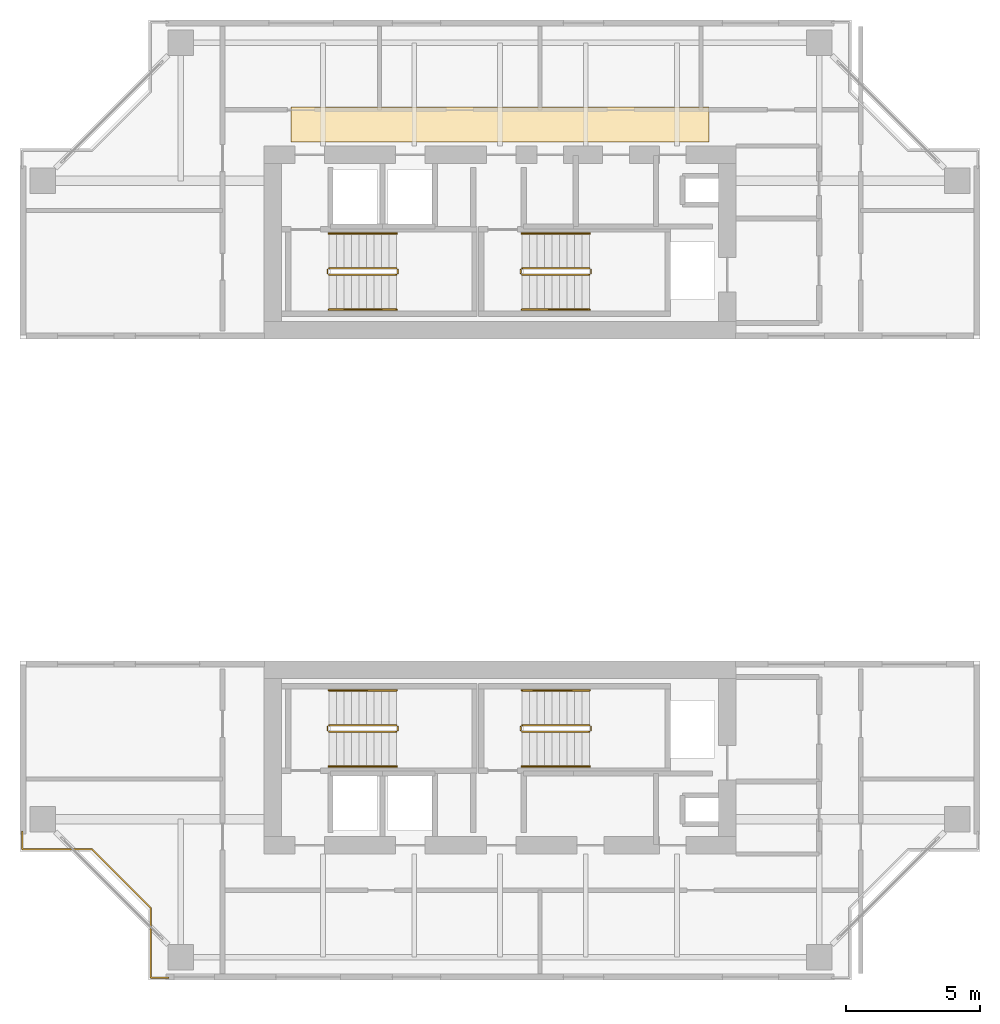
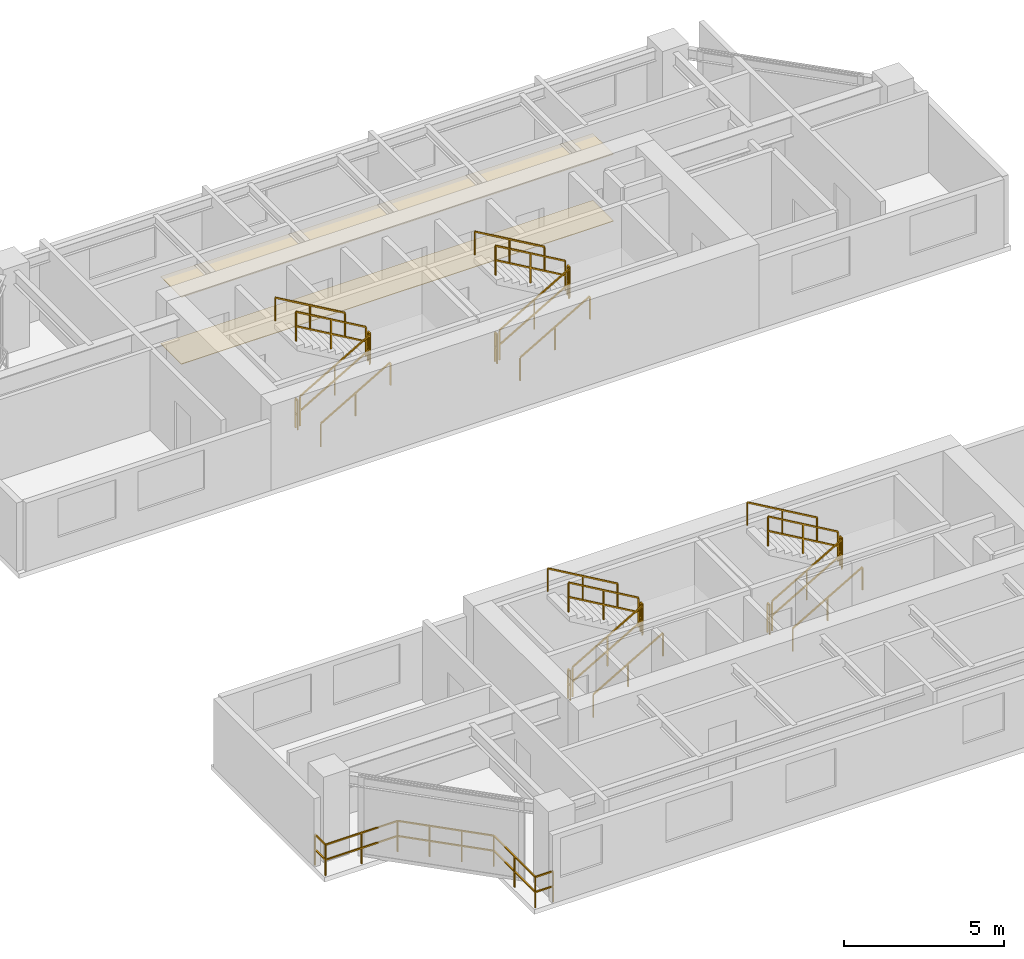
# One storey, part 11 of 12: 25 railings, 2 coverings.
"""IFC4 building model written with IfcOpenShell, lengths in metres."""

from ifc_helpers import new_model, si_unit, direction, frame, origin, origin_2d, place, context, subcontext, project, spatial, polyline, rectangle, outline, extrude, material, layer, layer_set, type_object, element, save


model = new_model("IFC4")

# Units and contexts
model_context = context("Model", 3, precision=1e-05, world=origin(), true_north=direction((0.0, 1.0)))
body_context = subcontext(model_context, "Body", "Model", "MODEL_VIEW")
ifc_project = project(units=[si_unit("LENGTHUNIT", "METRE"), si_unit("AREAUNIT", "SQUARE_METRE"), si_unit("VOLUMEUNIT", "CUBIC_METRE"), si_unit("PLANEANGLEUNIT", "RADIAN"), si_unit("MASSUNIT", "GRAM", prefix="KILO"), si_unit("THERMODYNAMICTEMPERATUREUNIT", "KELVIN"), si_unit("POWERUNIT", "WATT")], contexts=[model_context])

# Site, building, storey
site_placement = place(None, origin())
site = spatial("IfcSite", under=ifc_project, at=site_placement, CompositionType="ELEMENT")
building_placement = place(site_placement, origin())
building = spatial("IfcBuilding", under=site, at=building_placement, Name="Qiaomeng Ring Towers", CompositionType="ELEMENT")
storey_placement = place(building_placement, frame((0.0, 0.0, 166.5)))
storey = spatial("IfcBuildingStorey", under=building, at=storey_placement, Name="L48", CompositionType="ELEMENT", Elevation=166.5)

# Coverings
ifc_material_1 = material(Name="Mineral fibre acoustic ceiling tile", Category="gypsum")
ifc_layer_1 = layer(ifc_material_1, 0.02490234375, Name="Mineral fibre acoustic ceiling tile")
ifc_layer_set_1 = layer_set([ifc_layer_1], Name="Mineral fibre acoustic ceiling tile")
covering_type_1 = type_object("IfcCoveringType", Name="ARC-COV-CEIL1", PredefinedType="CEILING", material=ifc_layer_set_1)
covering_1_placement = place(storey_placement, frame((0.0, 0.0, 2.550048828125)))
element("IfcCovering", 1, at=covering_1_placement, inside=storey, type_object=covering_type_1, Name="L48 Corridor Acoustic Ceiling", PredefinedType="CEILING", context=body_context, shape_type="SweptSolid", body=[
    extrude(outline(polyline([(11.199951171875, 36.35009765625), (11.199951171875, 37.64990234375), (26.800048828125, 37.64990234375), (26.800048828125, 36.35009765625), (11.199951171875, 36.35009765625)])), origin(), (0.0, 0.0, 1.0), 0.02490234375),
])
ifc_material_2 = material(Name="Vitrified porcelain floor tile", Category="ceramic")
ifc_layer_2 = layer(ifc_material_2, 0.02001953125, Name="Vitrified porcelain floor tile")
ifc_layer_set_2 = layer_set([ifc_layer_2], Name="Vitrified porcelain floor tile")
covering_type_2 = type_object("IfcCoveringType", Name="ARC-COV-FLR1", PredefinedType="FLOORING", material=ifc_layer_set_2)
covering_2_placement = place(storey_placement, origin())
element("IfcCovering", 2, at=covering_2_placement, inside=storey, type_object=covering_type_2, Name="L48 Corridor Stone Flooring", PredefinedType="FLOORING", context=body_context, shape_type="SweptSolid", body=[
    extrude(outline(polyline([(11.199951171875, 36.35009765625), (11.199951171875, 37.64990234375), (26.800048828125, 37.64990234375), (26.800048828125, 36.35009765625), (11.199951171875, 36.35009765625)])), origin(), (0.0, 0.0, 1.0), 0.02001953125),
])

# Railings
ifc_material_3 = material(Name="Low-E pale-green laminated safety glass", Category="glass")
railing_type_1 = type_object("IfcRailingType", Name="ARC-RL-BAL1", PredefinedType="BALUSTRADE", material=ifc_material_3)
railing_1_placement = place(storey_placement, frame((1.179931640625, 10.6298828125, 0.0)))
element("IfcRailing", 3, at=railing_1_placement, inside=storey, type_object=railing_type_1, Name="L48 Balustrade ARC-BAL-NOTCH1-L48-SW", PredefinedType="BALUSTRADE", context=body_context, shape_type="SweptSolid", body=[
    extrude(rectangle(XDim=0.048095703125, YDim=0.048095703125, at=origin_2d()), frame((0.0, 0.0, 1.17578125), z_axis=(0.0, -1.0, 0.0), x_axis=(1.0, 0.0, 0.0)), (0.0, 0.0, 1.0), 0.64990234375),
    extrude(rectangle(XDim=0.048095703125, YDim=0.048095703125, at=origin_2d()), frame((0.0, 0.0, 0.60009765625), z_axis=(0.0, -1.0, 0.0), x_axis=(1.0, 0.0, 0.0)), (0.0, 0.0, 1.0), 0.64990234375),
    extrude(rectangle(XDim=0.048095703125, YDim=0.048095703125, at=origin_2d()), frame((0.0, -0.64990234375, 1.17578125), z_axis=(1.0, 0.0, 0.0), x_axis=(0.0, 1.0, 0.0)), (0.0, 0.0, 1.0), 2.60009765625),
    extrude(rectangle(XDim=0.048095703125, YDim=0.048095703125, at=origin_2d()), frame((0.0, -0.64990234375, 0.60009765625), z_axis=(1.0, 0.0, 0.0), x_axis=(0.0, 1.0, 0.0)), (0.0, 0.0, 1.0), 2.60009765625),
    extrude(rectangle(XDim=0.048095703125, YDim=0.048095703125, at=origin_2d()), frame((2.60009765625, -0.64990234375, 1.17578125), z_axis=(0.707106781187, -0.707106781187, 0.0), x_axis=(0.707106781187, 0.707106781187, 0.0)), (0.0, 0.0, 1.0), 3.111083984375),
    extrude(rectangle(XDim=0.048095703125, YDim=0.048095703125, at=origin_2d()), frame((2.60009765625, -0.64990234375, 0.60009765625), z_axis=(0.707106781187, -0.707106781187, 0.0), x_axis=(0.707106781187, 0.707106781187, 0.0)), (0.0, 0.0, 1.0), 3.111083984375),
    extrude(rectangle(XDim=0.048095703125, YDim=0.048095703125, at=origin_2d()), frame((4.800048828125, -2.849853515625, 1.17578125), z_axis=(0.0, -1.0, 0.0), x_axis=(1.0, 0.0, 0.0)), (0.0, 0.0, 1.0), 2.60009765625),
    extrude(rectangle(XDim=0.048095703125, YDim=0.048095703125, at=origin_2d()), frame((4.800048828125, -2.849853515625, 0.60009765625), z_axis=(0.0, -1.0, 0.0), x_axis=(1.0, 0.0, 0.0)), (0.0, 0.0, 1.0), 2.60009765625),
    extrude(rectangle(XDim=0.048095703125, YDim=0.048095703125, at=origin_2d()), frame((4.800048828125, -5.449951171875, 1.17578125), z_axis=(1.0, 0.0, 0.0), x_axis=(0.0, 1.0, 0.0)), (0.0, 0.0, 1.0), 0.64990234375),
    extrude(rectangle(XDim=0.048095703125, YDim=0.048095703125, at=origin_2d()), frame((4.800048828125, -5.449951171875, 0.60009765625), z_axis=(1.0, 0.0, 0.0), x_axis=(0.0, 1.0, 0.0)), (0.0, 0.0, 1.0), 0.64990234375),
    extrude(rectangle(XDim=0.0419921875, YDim=0.0419921875, at=origin_2d()), origin(), (0.0, 0.0, 1.0), 1.15185546875),
    extrude(rectangle(XDim=0.0419921875, YDim=0.0419921875, at=origin_2d()), frame((0.0, -0.64990234375, 0.0)), (0.0, 0.0, 1.0), 1.15185546875),
    extrude(rectangle(XDim=0.0419921875, YDim=0.0419921875, at=origin_2d()), frame((1.300048828125, -0.64990234375, 0.0)), (0.0, 0.0, 1.0), 1.15185546875),
    extrude(rectangle(XDim=0.0419921875, YDim=0.0419921875, at=origin_2d()), frame((2.60009765625, -0.64990234375, 0.0)), (0.0, 0.0, 1.0), 1.15185546875),
    extrude(rectangle(XDim=0.0419921875, YDim=0.0419921875, at=origin_2d()), frame((3.33349609375, -1.38330078125, 0.0)), (0.0, 0.0, 1.0), 1.15185546875),
    extrude(rectangle(XDim=0.0419921875, YDim=0.0419921875, at=origin_2d()), frame((4.066650390625, -2.116455078125, 0.0)), (0.0, 0.0, 1.0), 1.15185546875),
    extrude(rectangle(XDim=0.0419921875, YDim=0.0419921875, at=origin_2d()), frame((4.800048828125, -2.849853515625, 0.0)), (0.0, 0.0, 1.0), 1.15185546875),
    extrude(rectangle(XDim=0.0419921875, YDim=0.0419921875, at=origin_2d()), frame((4.800048828125, -4.14990234375, 0.0)), (0.0, 0.0, 1.0), 1.15185546875),
    extrude(rectangle(XDim=0.0419921875, YDim=0.0419921875, at=origin_2d()), frame((4.800048828125, -5.449951171875, 0.0)), (0.0, 0.0, 1.0), 1.15185546875),
    extrude(rectangle(XDim=0.0419921875, YDim=0.0419921875, at=origin_2d()), frame((5.449951171875, -5.449951171875, 0.0)), (0.0, 0.0, 1.0), 1.15185546875),
])
ifc_material_4 = material(Name="Galvanised steel", Category="steel")
railing_type_2 = type_object("IfcRailingType", Name="ARC-RL-GUARD", PredefinedType="GUARDRAIL", material=ifc_material_4)
railing_2_placement = place(storey_placement, frame((12.6201171875, 31.39990234375, 0.16259765625)))
element("IfcRailing", 4, at=railing_2_placement, inside=storey, type_object=railing_type_2, Name="L48 ST1 stair guard 1", PredefinedType="GUARDRAIL", context=body_context, shape_type="SweptSolid", body=[
    extrude(rectangle(XDim=0.048095703125, YDim=0.048095703125, at=origin_2d()), frame((0.0, 0.0, 1.1259765625), z_axis=(0.864892226395, 0.0, 0.501957604506), x_axis=(0.0, 1.0, 0.0)), (0.0, 0.0, 1.0), 2.913330078125),
    extrude(rectangle(XDim=0.048095703125, YDim=0.048095703125, at=origin_2d()), frame((0.0, 0.0, 0.574951171875), z_axis=(0.864892226395, 0.0, 0.501957604506), x_axis=(0.0, 1.0, 0.0)), (0.0, 0.0, 1.0), 2.913330078125),
    extrude(rectangle(XDim=0.0419921875, YDim=0.0419921875, at=origin_2d()), origin(), (0.0, 0.0, 1.0), 1.101806640625),
    extrude(rectangle(XDim=0.0419921875, YDim=0.0419921875, at=origin_2d()), frame((1.259765625, 0.0, 0.731201171875)), (0.0, 0.0, 1.0), 1.101806640625),
    extrude(rectangle(XDim=0.0419921875, YDim=0.0419921875, at=origin_2d()), frame((2.519775390625, 0.0, 1.46240234375)), (0.0, 0.0, 1.0), 1.101806640625),
])
railing_3_placement = place(storey_placement, frame((15.18994140625, 31.449951171875, 1.625)))
element("IfcRailing", 5, at=railing_3_placement, inside=storey, type_object=railing_type_2, Name="L48 ST1 stair guard 2", PredefinedType="GUARDRAIL", context=body_context, shape_type="SweptSolid", body=[
    extrude(rectangle(XDim=0.048095703125, YDim=0.048095703125, at=origin_2d()), frame((0.0, 0.0, 1.1259765625), z_axis=(0.0, 1.0, 0.0), x_axis=(-1.0, 0.0, 0.0)), (0.0, 0.0, 1.0), 0.14013671875),
    extrude(rectangle(XDim=0.048095703125, YDim=0.048095703125, at=origin_2d()), frame((0.0, 0.0, 0.574951171875), z_axis=(0.0, 1.0, 0.0), x_axis=(-1.0, 0.0, 0.0)), (0.0, 0.0, 1.0), 0.14013671875),
    extrude(rectangle(XDim=0.0419921875, YDim=0.0419921875, at=origin_2d()), origin(), (0.0, 0.0, 1.0), 1.101806640625),
    extrude(rectangle(XDim=0.0419921875, YDim=0.0419921875, at=origin_2d()), frame((0.0, 0.14013671875, 0.0)), (0.0, 0.0, 1.0), 1.101806640625),
])
railing_4_placement = place(storey_placement, frame((15.139892578125, 31.639892578125, 1.78759765625)))
element("IfcRailing", 6, at=railing_4_placement, inside=storey, type_object=railing_type_2, Name="L48 ST1 stair guard 3", PredefinedType="GUARDRAIL", context=body_context, shape_type="SweptSolid", body=[
    extrude(rectangle(XDim=0.048095703125, YDim=0.048095703125, at=origin_2d()), frame((0.0, 0.0, 1.1259765625), z_axis=(-0.864892226395, 0.0, 0.501957604506), x_axis=(0.0, -1.0, 0.0)), (0.0, 0.0, 1.0), 2.913330078125),
    extrude(rectangle(XDim=0.048095703125, YDim=0.048095703125, at=origin_2d()), frame((0.0, 0.0, 0.574951171875), z_axis=(-0.864892226395, 0.0, 0.501957604506), x_axis=(0.0, -1.0, 0.0)), (0.0, 0.0, 1.0), 2.913330078125),
    extrude(rectangle(XDim=0.0419921875, YDim=0.0419921875, at=origin_2d()), origin(), (0.0, 0.0, 1.0), 1.101806640625),
    extrude(rectangle(XDim=0.0419921875, YDim=0.0419921875, at=origin_2d()), frame((-1.259765625, 0.0, 0.731201171875)), (0.0, 0.0, 1.0), 1.101806640625),
    extrude(rectangle(XDim=0.0419921875, YDim=0.0419921875, at=origin_2d()), frame((-2.519775390625, 0.0, 1.46240234375)), (0.0, 0.0, 1.0), 1.101806640625),
])
railing_5_placement = place(storey_placement, frame((12.570068359375, 31.449951171875, 0.0)))
element("IfcRailing", 7, at=railing_5_placement, inside=storey, type_object=railing_type_2, Name="L48 ST1 stair guard 4", PredefinedType="GUARDRAIL", context=body_context, shape_type="SweptSolid", body=[
    extrude(rectangle(XDim=0.048095703125, YDim=0.048095703125, at=origin_2d()), frame((0.0, 0.0, 1.1259765625), z_axis=(0.0, 1.0, 0.0), x_axis=(-1.0, 0.0, 0.0)), (0.0, 0.0, 1.0), 0.14013671875),
    extrude(rectangle(XDim=0.048095703125, YDim=0.048095703125, at=origin_2d()), frame((0.0, 0.0, 0.574951171875), z_axis=(0.0, 1.0, 0.0), x_axis=(-1.0, 0.0, 0.0)), (0.0, 0.0, 1.0), 0.14013671875),
    extrude(rectangle(XDim=0.0419921875, YDim=0.0419921875, at=origin_2d()), origin(), (0.0, 0.0, 1.0), 1.101806640625),
    extrude(rectangle(XDim=0.0419921875, YDim=0.0419921875, at=origin_2d()), frame((0.0, 0.14013671875, 0.0)), (0.0, 0.0, 1.0), 1.101806640625),
])
railing_6_placement = place(storey_placement, frame((19.820068359375, 31.39990234375, 0.16259765625)))
element("IfcRailing", 8, at=railing_6_placement, inside=storey, type_object=railing_type_2, Name="L48 ST2 stair guard 1", PredefinedType="GUARDRAIL", context=body_context, shape_type="SweptSolid", body=[
    extrude(rectangle(XDim=0.048095703125, YDim=0.048095703125, at=origin_2d()), frame((0.0, 0.0, 1.1259765625), z_axis=(0.864913338283, 0.0, 0.50192122615), x_axis=(0.0, 1.0, 0.0)), (0.0, 0.0, 1.0), 2.91357421875),
    extrude(rectangle(XDim=0.048095703125, YDim=0.048095703125, at=origin_2d()), frame((0.0, 0.0, 0.574951171875), z_axis=(0.864913338283, 0.0, 0.50192122615), x_axis=(0.0, 1.0, 0.0)), (0.0, 0.0, 1.0), 2.91357421875),
    extrude(rectangle(XDim=0.0419921875, YDim=0.0419921875, at=origin_2d()), origin(), (0.0, 0.0, 1.0), 1.101806640625),
    extrude(rectangle(XDim=0.0419921875, YDim=0.0419921875, at=origin_2d()), frame((1.260009765625, 0.0, 0.731201171875)), (0.0, 0.0, 1.0), 1.101806640625),
    extrude(rectangle(XDim=0.0419921875, YDim=0.0419921875, at=origin_2d()), frame((2.52001953125, 0.0, 1.46240234375)), (0.0, 0.0, 1.0), 1.101806640625),
])
railing_7_placement = place(storey_placement, frame((22.389892578125, 31.449951171875, 1.625)))
element("IfcRailing", 9, at=railing_7_placement, inside=storey, type_object=railing_type_2, Name="L48 ST2 stair guard 2", PredefinedType="GUARDRAIL", context=body_context, shape_type="SweptSolid", body=[
    extrude(rectangle(XDim=0.048095703125, YDim=0.048095703125, at=origin_2d()), frame((0.0, 0.0, 1.1259765625), z_axis=(0.0, 1.0, 0.0), x_axis=(-1.0, 0.0, 0.0)), (0.0, 0.0, 1.0), 0.14013671875),
    extrude(rectangle(XDim=0.048095703125, YDim=0.048095703125, at=origin_2d()), frame((0.0, 0.0, 0.574951171875), z_axis=(0.0, 1.0, 0.0), x_axis=(-1.0, 0.0, 0.0)), (0.0, 0.0, 1.0), 0.14013671875),
    extrude(rectangle(XDim=0.0419921875, YDim=0.0419921875, at=origin_2d()), origin(), (0.0, 0.0, 1.0), 1.101806640625),
    extrude(rectangle(XDim=0.0419921875, YDim=0.0419921875, at=origin_2d()), frame((0.0, 0.14013671875, 0.0)), (0.0, 0.0, 1.0), 1.101806640625),
])
railing_8_placement = place(storey_placement, frame((22.340087890625, 31.639892578125, 1.78759765625)))
element("IfcRailing", 10, at=railing_8_placement, inside=storey, type_object=railing_type_2, Name="L48 ST2 stair guard 3", PredefinedType="GUARDRAIL", context=body_context, shape_type="SweptSolid", body=[
    extrude(rectangle(XDim=0.048095703125, YDim=0.048095703125, at=origin_2d()), frame((0.0, 0.0, 1.1259765625), z_axis=(-0.864913338283, 0.0, 0.50192122615), x_axis=(0.0, -1.0, 0.0)), (0.0, 0.0, 1.0), 2.91357421875),
    extrude(rectangle(XDim=0.048095703125, YDim=0.048095703125, at=origin_2d()), frame((0.0, 0.0, 0.574951171875), z_axis=(-0.864913338283, 0.0, 0.50192122615), x_axis=(0.0, -1.0, 0.0)), (0.0, 0.0, 1.0), 2.91357421875),
    extrude(rectangle(XDim=0.0419921875, YDim=0.0419921875, at=origin_2d()), origin(), (0.0, 0.0, 1.0), 1.101806640625),
    extrude(rectangle(XDim=0.0419921875, YDim=0.0419921875, at=origin_2d()), frame((-1.260009765625, 0.0, 0.731201171875)), (0.0, 0.0, 1.0), 1.101806640625),
    extrude(rectangle(XDim=0.0419921875, YDim=0.0419921875, at=origin_2d()), frame((-2.52001953125, 0.0, 1.46240234375)), (0.0, 0.0, 1.0), 1.101806640625),
])
railing_9_placement = place(storey_placement, frame((19.77001953125, 31.449951171875, 0.0)))
element("IfcRailing", 11, at=railing_9_placement, inside=storey, type_object=railing_type_2, Name="L48 ST2 stair guard 4", PredefinedType="GUARDRAIL", context=body_context, shape_type="SweptSolid", body=[
    extrude(rectangle(XDim=0.048095703125, YDim=0.048095703125, at=origin_2d()), frame((0.0, 0.0, 1.1259765625), z_axis=(0.0, 1.0, 0.0), x_axis=(-1.0, 0.0, 0.0)), (0.0, 0.0, 1.0), 0.14013671875),
    extrude(rectangle(XDim=0.048095703125, YDim=0.048095703125, at=origin_2d()), frame((0.0, 0.0, 0.574951171875), z_axis=(0.0, 1.0, 0.0), x_axis=(-1.0, 0.0, 0.0)), (0.0, 0.0, 1.0), 0.14013671875),
    extrude(rectangle(XDim=0.0419921875, YDim=0.0419921875, at=origin_2d()), origin(), (0.0, 0.0, 1.0), 1.101806640625),
    extrude(rectangle(XDim=0.0419921875, YDim=0.0419921875, at=origin_2d()), frame((0.0, 0.14013671875, 0.0)), (0.0, 0.0, 1.0), 1.101806640625),
])
railing_10_placement = place(storey_placement, frame((12.6201171875, 14.360107421875, 0.16259765625)))
element("IfcRailing", 12, at=railing_10_placement, inside=storey, type_object=railing_type_2, Name="L48 ST3 stair guard 1", PredefinedType="GUARDRAIL", context=body_context, shape_type="SweptSolid", body=[
    extrude(rectangle(XDim=0.048095703125, YDim=0.048095703125, at=origin_2d()), frame((0.0, 0.0, 1.1259765625), z_axis=(0.864892226395, 0.0, 0.501957604506), x_axis=(0.0, 1.0, 0.0)), (0.0, 0.0, 1.0), 2.913330078125),
    extrude(rectangle(XDim=0.048095703125, YDim=0.048095703125, at=origin_2d()), frame((0.0, 0.0, 0.574951171875), z_axis=(0.864892226395, 0.0, 0.501957604506), x_axis=(0.0, 1.0, 0.0)), (0.0, 0.0, 1.0), 2.913330078125),
    extrude(rectangle(XDim=0.0419921875, YDim=0.0419921875, at=origin_2d()), origin(), (0.0, 0.0, 1.0), 1.101806640625),
    extrude(rectangle(XDim=0.0419921875, YDim=0.0419921875, at=origin_2d()), frame((1.259765625, 0.0, 0.731201171875)), (0.0, 0.0, 1.0), 1.101806640625),
    extrude(rectangle(XDim=0.0419921875, YDim=0.0419921875, at=origin_2d()), frame((2.519775390625, 0.0, 1.46240234375)), (0.0, 0.0, 1.0), 1.101806640625),
])
railing_11_placement = place(storey_placement, frame((15.18994140625, 14.409912109375, 1.625)))
element("IfcRailing", 13, at=railing_11_placement, inside=storey, type_object=railing_type_2, Name="L48 ST3 stair guard 2", PredefinedType="GUARDRAIL", context=body_context, shape_type="SweptSolid", body=[
    extrude(rectangle(XDim=0.048095703125, YDim=0.048095703125, at=origin_2d()), frame((0.0, 0.0, 1.1259765625), z_axis=(0.0, 1.0, 0.0), x_axis=(-1.0, 0.0, 0.0)), (0.0, 0.0, 1.0), 0.14013671875),
    extrude(rectangle(XDim=0.048095703125, YDim=0.048095703125, at=origin_2d()), frame((0.0, 0.0, 0.574951171875), z_axis=(0.0, 1.0, 0.0), x_axis=(-1.0, 0.0, 0.0)), (0.0, 0.0, 1.0), 0.14013671875),
    extrude(rectangle(XDim=0.0419921875, YDim=0.0419921875, at=origin_2d()), origin(), (0.0, 0.0, 1.0), 1.101806640625),
    extrude(rectangle(XDim=0.0419921875, YDim=0.0419921875, at=origin_2d()), frame((0.0, 0.14013671875, 0.0)), (0.0, 0.0, 1.0), 1.101806640625),
])
railing_12_placement = place(storey_placement, frame((15.139892578125, 14.60009765625, 1.78759765625)))
element("IfcRailing", 14, at=railing_12_placement, inside=storey, type_object=railing_type_2, Name="L48 ST3 stair guard 3", PredefinedType="GUARDRAIL", context=body_context, shape_type="SweptSolid", body=[
    extrude(rectangle(XDim=0.048095703125, YDim=0.048095703125, at=origin_2d()), frame((0.0, 0.0, 1.1259765625), z_axis=(-0.864892226395, 0.0, 0.501957604506), x_axis=(0.0, -1.0, 0.0)), (0.0, 0.0, 1.0), 2.913330078125),
    extrude(rectangle(XDim=0.048095703125, YDim=0.048095703125, at=origin_2d()), frame((0.0, 0.0, 0.574951171875), z_axis=(-0.864892226395, 0.0, 0.501957604506), x_axis=(0.0, -1.0, 0.0)), (0.0, 0.0, 1.0), 2.913330078125),
    extrude(rectangle(XDim=0.0419921875, YDim=0.0419921875, at=origin_2d()), origin(), (0.0, 0.0, 1.0), 1.101806640625),
    extrude(rectangle(XDim=0.0419921875, YDim=0.0419921875, at=origin_2d()), frame((-1.259765625, 0.0, 0.731201171875)), (0.0, 0.0, 1.0), 1.101806640625),
    extrude(rectangle(XDim=0.0419921875, YDim=0.0419921875, at=origin_2d()), frame((-2.519775390625, 0.0, 1.46240234375)), (0.0, 0.0, 1.0), 1.101806640625),
])
railing_13_placement = place(storey_placement, frame((12.570068359375, 14.409912109375, 0.0)))
element("IfcRailing", 15, at=railing_13_placement, inside=storey, type_object=railing_type_2, Name="L48 ST3 stair guard 4", PredefinedType="GUARDRAIL", context=body_context, shape_type="SweptSolid", body=[
    extrude(rectangle(XDim=0.048095703125, YDim=0.048095703125, at=origin_2d()), frame((0.0, 0.0, 1.1259765625), z_axis=(0.0, 1.0, 0.0), x_axis=(-1.0, 0.0, 0.0)), (0.0, 0.0, 1.0), 0.14013671875),
    extrude(rectangle(XDim=0.048095703125, YDim=0.048095703125, at=origin_2d()), frame((0.0, 0.0, 0.574951171875), z_axis=(0.0, 1.0, 0.0), x_axis=(-1.0, 0.0, 0.0)), (0.0, 0.0, 1.0), 0.14013671875),
    extrude(rectangle(XDim=0.0419921875, YDim=0.0419921875, at=origin_2d()), origin(), (0.0, 0.0, 1.0), 1.101806640625),
    extrude(rectangle(XDim=0.0419921875, YDim=0.0419921875, at=origin_2d()), frame((0.0, 0.14013671875, 0.0)), (0.0, 0.0, 1.0), 1.101806640625),
])
railing_14_placement = place(storey_placement, frame((19.820068359375, 14.360107421875, 0.16259765625)))
element("IfcRailing", 16, at=railing_14_placement, inside=storey, type_object=railing_type_2, Name="L48 ST4 stair guard 1", PredefinedType="GUARDRAIL", context=body_context, shape_type="SweptSolid", body=[
    extrude(rectangle(XDim=0.048095703125, YDim=0.048095703125, at=origin_2d()), frame((0.0, 0.0, 1.1259765625), z_axis=(0.864913338283, 0.0, 0.50192122615), x_axis=(0.0, 1.0, 0.0)), (0.0, 0.0, 1.0), 2.91357421875),
    extrude(rectangle(XDim=0.048095703125, YDim=0.048095703125, at=origin_2d()), frame((0.0, 0.0, 0.574951171875), z_axis=(0.864913338283, 0.0, 0.50192122615), x_axis=(0.0, 1.0, 0.0)), (0.0, 0.0, 1.0), 2.91357421875),
    extrude(rectangle(XDim=0.0419921875, YDim=0.0419921875, at=origin_2d()), origin(), (0.0, 0.0, 1.0), 1.101806640625),
    extrude(rectangle(XDim=0.0419921875, YDim=0.0419921875, at=origin_2d()), frame((1.260009765625, 0.0, 0.731201171875)), (0.0, 0.0, 1.0), 1.101806640625),
    extrude(rectangle(XDim=0.0419921875, YDim=0.0419921875, at=origin_2d()), frame((2.52001953125, 0.0, 1.46240234375)), (0.0, 0.0, 1.0), 1.101806640625),
])
railing_15_placement = place(storey_placement, frame((22.389892578125, 14.409912109375, 1.625)))
element("IfcRailing", 17, at=railing_15_placement, inside=storey, type_object=railing_type_2, Name="L48 ST4 stair guard 2", PredefinedType="GUARDRAIL", context=body_context, shape_type="SweptSolid", body=[
    extrude(rectangle(XDim=0.048095703125, YDim=0.048095703125, at=origin_2d()), frame((0.0, 0.0, 1.1259765625), z_axis=(0.0, 1.0, 0.0), x_axis=(-1.0, 0.0, 0.0)), (0.0, 0.0, 1.0), 0.14013671875),
    extrude(rectangle(XDim=0.048095703125, YDim=0.048095703125, at=origin_2d()), frame((0.0, 0.0, 0.574951171875), z_axis=(0.0, 1.0, 0.0), x_axis=(-1.0, 0.0, 0.0)), (0.0, 0.0, 1.0), 0.14013671875),
    extrude(rectangle(XDim=0.0419921875, YDim=0.0419921875, at=origin_2d()), origin(), (0.0, 0.0, 1.0), 1.101806640625),
    extrude(rectangle(XDim=0.0419921875, YDim=0.0419921875, at=origin_2d()), frame((0.0, 0.14013671875, 0.0)), (0.0, 0.0, 1.0), 1.101806640625),
])
railing_16_placement = place(storey_placement, frame((22.340087890625, 14.60009765625, 1.78759765625)))
element("IfcRailing", 18, at=railing_16_placement, inside=storey, type_object=railing_type_2, Name="L48 ST4 stair guard 3", PredefinedType="GUARDRAIL", context=body_context, shape_type="SweptSolid", body=[
    extrude(rectangle(XDim=0.048095703125, YDim=0.048095703125, at=origin_2d()), frame((0.0, 0.0, 1.1259765625), z_axis=(-0.864913338283, 0.0, 0.50192122615), x_axis=(0.0, -1.0, 0.0)), (0.0, 0.0, 1.0), 2.91357421875),
    extrude(rectangle(XDim=0.048095703125, YDim=0.048095703125, at=origin_2d()), frame((0.0, 0.0, 0.574951171875), z_axis=(-0.864913338283, 0.0, 0.50192122615), x_axis=(0.0, -1.0, 0.0)), (0.0, 0.0, 1.0), 2.91357421875),
    extrude(rectangle(XDim=0.0419921875, YDim=0.0419921875, at=origin_2d()), origin(), (0.0, 0.0, 1.0), 1.101806640625),
    extrude(rectangle(XDim=0.0419921875, YDim=0.0419921875, at=origin_2d()), frame((-1.260009765625, 0.0, 0.731201171875)), (0.0, 0.0, 1.0), 1.101806640625),
    extrude(rectangle(XDim=0.0419921875, YDim=0.0419921875, at=origin_2d()), frame((-2.52001953125, 0.0, 1.46240234375)), (0.0, 0.0, 1.0), 1.101806640625),
])
railing_17_placement = place(storey_placement, frame((19.77001953125, 14.409912109375, 0.0)))
element("IfcRailing", 19, at=railing_17_placement, inside=storey, type_object=railing_type_2, Name="L48 ST4 stair guard 4", PredefinedType="GUARDRAIL", context=body_context, shape_type="SweptSolid", body=[
    extrude(rectangle(XDim=0.048095703125, YDim=0.048095703125, at=origin_2d()), frame((0.0, 0.0, 1.1259765625), z_axis=(0.0, 1.0, 0.0), x_axis=(-1.0, 0.0, 0.0)), (0.0, 0.0, 1.0), 0.14013671875),
    extrude(rectangle(XDim=0.048095703125, YDim=0.048095703125, at=origin_2d()), frame((0.0, 0.0, 0.574951171875), z_axis=(0.0, 1.0, 0.0), x_axis=(-1.0, 0.0, 0.0)), (0.0, 0.0, 1.0), 0.14013671875),
    extrude(rectangle(XDim=0.0419921875, YDim=0.0419921875, at=origin_2d()), origin(), (0.0, 0.0, 1.0), 1.101806640625),
    extrude(rectangle(XDim=0.0419921875, YDim=0.0419921875, at=origin_2d()), frame((0.0, 0.14013671875, 0.0)), (0.0, 0.0, 1.0), 1.101806640625),
])
ifc_material_5 = material(Name="Stainless steel 316", Category="steel")
railing_type_3 = type_object("IfcRailingType", Name="ARC-RL-HAND", PredefinedType="HANDRAIL", material=ifc_material_5)
railing_18_placement = place(storey_placement, frame((12.6201171875, 30.10009765625, 0.16259765625)))
element("IfcRailing", 20, at=railing_18_placement, inside=storey, type_object=railing_type_3, Name="L48 ST1 stair handrail 1", PredefinedType="HANDRAIL", context=body_context, shape_type="SweptSolid", body=[
    extrude(rectangle(XDim=0.048095703125, YDim=0.048095703125, at=origin_2d()), frame((0.0, 0.0, 0.8759765625), z_axis=(0.864892226395, 0.0, 0.501957604506), x_axis=(0.0, 1.0, 0.0)), (0.0, 0.0, 1.0), 2.913330078125),
    extrude(rectangle(XDim=0.0419921875, YDim=0.0419921875, at=origin_2d()), origin(), (0.0, 0.0, 1.0), 0.851806640625),
    extrude(rectangle(XDim=0.0419921875, YDim=0.0419921875, at=origin_2d()), frame((1.259765625, 0.0, 0.731201171875)), (0.0, 0.0, 1.0), 0.851806640625),
    extrude(rectangle(XDim=0.0419921875, YDim=0.0419921875, at=origin_2d()), frame((2.519775390625, 0.0, 1.46240234375)), (0.0, 0.0, 1.0), 0.851806640625),
])
railing_19_placement = place(storey_placement, frame((15.139892578125, 32.93994140625, 1.78759765625)))
element("IfcRailing", 21, at=railing_19_placement, inside=storey, type_object=railing_type_3, Name="L48 ST1 stair handrail 2", PredefinedType="HANDRAIL", context=body_context, shape_type="SweptSolid", body=[
    extrude(rectangle(XDim=0.048095703125, YDim=0.048095703125, at=origin_2d()), frame((0.0, 0.0, 0.8759765625), z_axis=(-0.864892226395, 0.0, 0.501957604506), x_axis=(0.0, -1.0, 0.0)), (0.0, 0.0, 1.0), 2.913330078125),
    extrude(rectangle(XDim=0.0419921875, YDim=0.0419921875, at=origin_2d()), origin(), (0.0, 0.0, 1.0), 0.851806640625),
    extrude(rectangle(XDim=0.0419921875, YDim=0.0419921875, at=origin_2d()), frame((-1.259765625, 0.0, 0.731201171875)), (0.0, 0.0, 1.0), 0.851806640625),
    extrude(rectangle(XDim=0.0419921875, YDim=0.0419921875, at=origin_2d()), frame((-2.519775390625, 0.0, 1.46240234375)), (0.0, 0.0, 1.0), 0.851806640625),
])
railing_20_placement = place(storey_placement, frame((19.820068359375, 30.10009765625, 0.16259765625)))
element("IfcRailing", 22, at=railing_20_placement, inside=storey, type_object=railing_type_3, Name="L48 ST2 stair handrail 1", PredefinedType="HANDRAIL", context=body_context, shape_type="SweptSolid", body=[
    extrude(rectangle(XDim=0.048095703125, YDim=0.048095703125, at=origin_2d()), frame((0.0, 0.0, 0.8759765625), z_axis=(0.864913338283, 0.0, 0.50192122615), x_axis=(0.0, 1.0, 0.0)), (0.0, 0.0, 1.0), 2.91357421875),
    extrude(rectangle(XDim=0.0419921875, YDim=0.0419921875, at=origin_2d()), origin(), (0.0, 0.0, 1.0), 0.851806640625),
    extrude(rectangle(XDim=0.0419921875, YDim=0.0419921875, at=origin_2d()), frame((1.260009765625, 0.0, 0.731201171875)), (0.0, 0.0, 1.0), 0.851806640625),
    extrude(rectangle(XDim=0.0419921875, YDim=0.0419921875, at=origin_2d()), frame((2.52001953125, 0.0, 1.46240234375)), (0.0, 0.0, 1.0), 0.851806640625),
])
railing_21_placement = place(storey_placement, frame((22.340087890625, 32.93994140625, 1.78759765625)))
element("IfcRailing", 23, at=railing_21_placement, inside=storey, type_object=railing_type_3, Name="L48 ST2 stair handrail 2", PredefinedType="HANDRAIL", context=body_context, shape_type="SweptSolid", body=[
    extrude(rectangle(XDim=0.048095703125, YDim=0.048095703125, at=origin_2d()), frame((0.0, 0.0, 0.8759765625), z_axis=(-0.864913338283, 0.0, 0.50192122615), x_axis=(0.0, -1.0, 0.0)), (0.0, 0.0, 1.0), 2.91357421875),
    extrude(rectangle(XDim=0.0419921875, YDim=0.0419921875, at=origin_2d()), origin(), (0.0, 0.0, 1.0), 0.851806640625),
    extrude(rectangle(XDim=0.0419921875, YDim=0.0419921875, at=origin_2d()), frame((-1.260009765625, 0.0, 0.731201171875)), (0.0, 0.0, 1.0), 0.851806640625),
    extrude(rectangle(XDim=0.0419921875, YDim=0.0419921875, at=origin_2d()), frame((-2.52001953125, 0.0, 1.46240234375)), (0.0, 0.0, 1.0), 0.851806640625),
])
railing_22_placement = place(storey_placement, frame((12.6201171875, 13.06005859375, 0.16259765625)))
element("IfcRailing", 24, at=railing_22_placement, inside=storey, type_object=railing_type_3, Name="L48 ST3 stair handrail 1", PredefinedType="HANDRAIL", context=body_context, shape_type="SweptSolid", body=[
    extrude(rectangle(XDim=0.048095703125, YDim=0.048095703125, at=origin_2d()), frame((0.0, 0.0, 0.8759765625), z_axis=(0.864892226395, 0.0, 0.501957604506), x_axis=(0.0, 1.0, 0.0)), (0.0, 0.0, 1.0), 2.913330078125),
    extrude(rectangle(XDim=0.0419921875, YDim=0.0419921875, at=origin_2d()), origin(), (0.0, 0.0, 1.0), 0.851806640625),
    extrude(rectangle(XDim=0.0419921875, YDim=0.0419921875, at=origin_2d()), frame((1.259765625, 0.0, 0.731201171875)), (0.0, 0.0, 1.0), 0.851806640625),
    extrude(rectangle(XDim=0.0419921875, YDim=0.0419921875, at=origin_2d()), frame((2.519775390625, 0.0, 1.46240234375)), (0.0, 0.0, 1.0), 0.851806640625),
])
railing_23_placement = place(storey_placement, frame((15.139892578125, 15.89990234375, 1.78759765625)))
element("IfcRailing", 25, at=railing_23_placement, inside=storey, type_object=railing_type_3, Name="L48 ST3 stair handrail 2", PredefinedType="HANDRAIL", context=body_context, shape_type="SweptSolid", body=[
    extrude(rectangle(XDim=0.048095703125, YDim=0.048095703125, at=origin_2d()), frame((0.0, 0.0, 0.8759765625), z_axis=(-0.864892226395, 0.0, 0.501957604506), x_axis=(0.0, -1.0, 0.0)), (0.0, 0.0, 1.0), 2.913330078125),
    extrude(rectangle(XDim=0.0419921875, YDim=0.0419921875, at=origin_2d()), origin(), (0.0, 0.0, 1.0), 0.851806640625),
    extrude(rectangle(XDim=0.0419921875, YDim=0.0419921875, at=origin_2d()), frame((-1.259765625, 0.0, 0.731201171875)), (0.0, 0.0, 1.0), 0.851806640625),
    extrude(rectangle(XDim=0.0419921875, YDim=0.0419921875, at=origin_2d()), frame((-2.519775390625, 0.0, 1.46240234375)), (0.0, 0.0, 1.0), 0.851806640625),
])
railing_24_placement = place(storey_placement, frame((19.820068359375, 13.06005859375, 0.16259765625)))
element("IfcRailing", 26, at=railing_24_placement, inside=storey, type_object=railing_type_3, Name="L48 ST4 stair handrail 1", PredefinedType="HANDRAIL", context=body_context, shape_type="SweptSolid", body=[
    extrude(rectangle(XDim=0.048095703125, YDim=0.048095703125, at=origin_2d()), frame((0.0, 0.0, 0.8759765625), z_axis=(0.864913338283, 0.0, 0.50192122615), x_axis=(0.0, 1.0, 0.0)), (0.0, 0.0, 1.0), 2.91357421875),
    extrude(rectangle(XDim=0.0419921875, YDim=0.0419921875, at=origin_2d()), origin(), (0.0, 0.0, 1.0), 0.851806640625),
    extrude(rectangle(XDim=0.0419921875, YDim=0.0419921875, at=origin_2d()), frame((1.260009765625, 0.0, 0.731201171875)), (0.0, 0.0, 1.0), 0.851806640625),
    extrude(rectangle(XDim=0.0419921875, YDim=0.0419921875, at=origin_2d()), frame((2.52001953125, 0.0, 1.46240234375)), (0.0, 0.0, 1.0), 0.851806640625),
])
railing_25_placement = place(storey_placement, frame((22.340087890625, 15.89990234375, 1.78759765625)))
element("IfcRailing", 27, at=railing_25_placement, inside=storey, type_object=railing_type_3, Name="L48 ST4 stair handrail 2", PredefinedType="HANDRAIL", context=body_context, shape_type="SweptSolid", body=[
    extrude(rectangle(XDim=0.048095703125, YDim=0.048095703125, at=origin_2d()), frame((0.0, 0.0, 0.8759765625), z_axis=(-0.864913338283, 0.0, 0.50192122615), x_axis=(0.0, -1.0, 0.0)), (0.0, 0.0, 1.0), 2.91357421875),
    extrude(rectangle(XDim=0.0419921875, YDim=0.0419921875, at=origin_2d()), origin(), (0.0, 0.0, 1.0), 0.851806640625),
    extrude(rectangle(XDim=0.0419921875, YDim=0.0419921875, at=origin_2d()), frame((-1.260009765625, 0.0, 0.731201171875)), (0.0, 0.0, 1.0), 0.851806640625),
    extrude(rectangle(XDim=0.0419921875, YDim=0.0419921875, at=origin_2d()), frame((-2.52001953125, 0.0, 1.46240234375)), (0.0, 0.0, 1.0), 0.851806640625),
])

save(model, "model.ifc")
